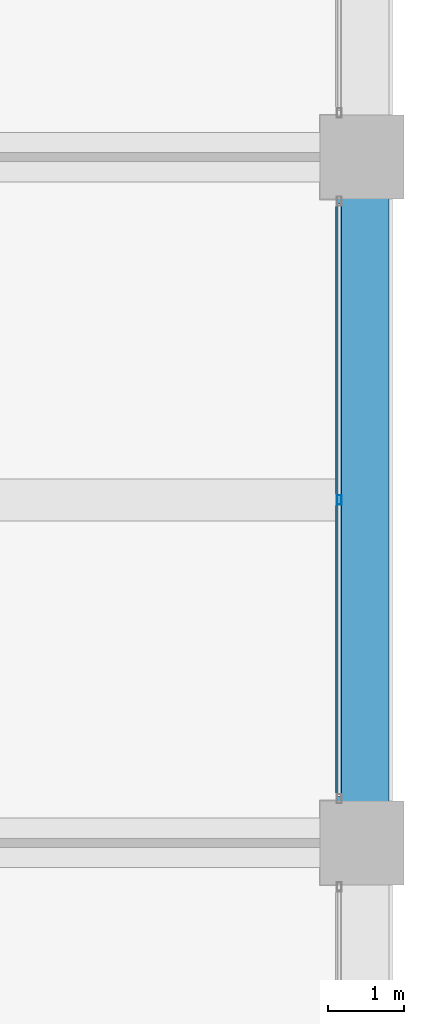
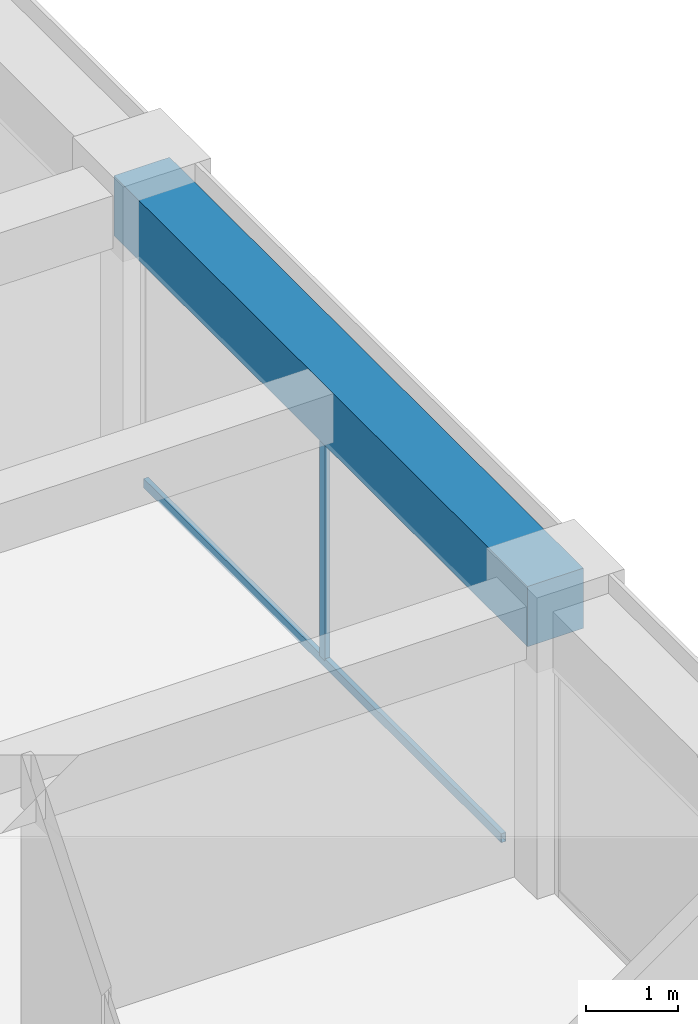
# One storey, part 25 of 44: 2 members, 1 beam, 1 element without a shape of its own.
"""IFC4 building model written with IfcOpenShell, lengths in metres."""

import ifcopenshell
import ifcopenshell.guid

model = None  # the IFC model being written
_history = None  # IfcOwnerHistory: only IFC2X3 demands one
_inside = {}  # id of a spatial element -> (the spatial element, [elements in it])
_under = {}  # id of a project, library or spatial element -> (it, [spatial elements below it])
_declared = {}  # id of a project -> (the project, [libraries it declares])
_typed = {}  # id of a type object -> (the type object, [elements of that type])
_made_of = {}  # id of a material, layer set ... -> (it, [elements and type objects made of it])


def new_model(schema):
    """Start an empty IFC model of exactly this schema.

    Asked for "IFC4X3", IfcOpenShell would pick the latest addendum, in which some entities
    have other attributes; the version numbers below select the first issue.
    IFC2X3 requires an IfcOwnerHistory on every rooted entity: one is made here for all.
    """
    global model, _history
    if schema == "IFC4X3":
        model = ifcopenshell.file(schema_version=(4, 3, 0, 0))
    else:
        model = ifcopenshell.file(schema=schema)
    _inside.clear()
    _under.clear()
    _declared.clear()
    _typed.clear()
    _made_of.clear()
    _history = None
    if model.schema == "IFC2X3":
        org = make("IfcOrganization", Name="unknown")
        user = make(
            "IfcPersonAndOrganization",
            ThePerson=make("IfcPerson", FamilyName="unknown"),
            TheOrganization=org,
        )
        app = make(
            "IfcApplication",
            ApplicationDeveloper=org,
            Version="unknown",
            ApplicationFullName="unknown",
            ApplicationIdentifier="unknown",
        )
        _history = make(
            "IfcOwnerHistory",
            OwningUser=user,
            OwningApplication=app,
            ChangeAction="ADDED",
            CreationDate=0,
        )
    return model


def make(cls, **values):
    """One entity of the class cls with the attributes given. An attribute that is None is left unset."""
    return model.create_entity(
        cls, **{name: value for name, value in values.items() if value is not None}
    )


def rooted(cls, **values):
    """An entity with a GlobalId (a new one), such as an element, a storey or a relation."""
    return make(cls, GlobalId=ifcopenshell.guid.new(), OwnerHistory=_history, **values)


def si_unit(unit_type, name, prefix=None):
    """IfcSIUnit, for example si_unit("LENGTHUNIT", "METRE", prefix="MILLI")."""
    return make("IfcSIUnit", UnitType=unit_type, Prefix=prefix, Name=name)


def assignment(units):
    """IfcUnitAssignment: the units of a project."""
    return None if units is None else make("IfcUnitAssignment", Units=units)


def point(xyz):
    """IfcCartesianPoint."""
    return None if xyz is None else make("IfcCartesianPoint", Coordinates=xyz)


def direction(xyz):
    """IfcDirection."""
    return None if xyz is None else make("IfcDirection", DirectionRatios=xyz)


def frame(location, z_axis=None, x_axis=None):
    """IfcAxis2Placement3D, a coordinate frame: its origin and axes. An axis left out is left unset."""
    return make(
        "IfcAxis2Placement3D",
        Location=point(location),
        Axis=direction(z_axis),
        RefDirection=direction(x_axis),
    )


def frame_2d(location, x_axis=None):
    """IfcAxis2Placement2D, a coordinate frame in the plane: its origin and x axis."""
    return make(
        "IfcAxis2Placement2D", Location=point(location), RefDirection=direction(x_axis)
    )


def origin():
    """The frame at (0, 0, 0) with its axes left unset."""
    return frame((0.0, 0.0, 0.0))


def origin_2d():
    """The frame at (0, 0) in the plane with its x axis left unset."""
    return frame_2d((0.0, 0.0))


def place(relative_to, where):
    """IfcLocalPlacement: puts the frame where relative to a parent placement (None: the world)."""
    return make(
        "IfcLocalPlacement", PlacementRelTo=relative_to, RelativePlacement=where
    )


def context(
    kind, dimensions, precision=None, world=None, true_north=None, identifier=None
):
    """IfcGeometricRepresentationContext, for example the 3D "Model" context."""
    return make(
        "IfcGeometricRepresentationContext",
        ContextIdentifier=identifier,
        ContextType=kind,
        CoordinateSpaceDimension=dimensions,
        Precision=precision,
        WorldCoordinateSystem=world,
        TrueNorth=true_north,
    )


def subcontext(parent, identifier, kind, view, scale=None):
    """IfcGeometricRepresentationSubContext, for example "Body" below "Model"."""
    return make(
        "IfcGeometricRepresentationSubContext",
        ContextIdentifier=identifier,
        ContextType=kind,
        ParentContext=parent,
        TargetScale=scale,
        TargetView=view,
    )


def project(units=None, contexts=None):
    """IfcProject with its units and contexts."""
    return rooted(
        "IfcProject",
        Name="project",
        RepresentationContexts=contexts,
        UnitsInContext=assignment(units),
    )


def spatial(cls, under=None, at=None, **own):
    """A site, building, storey or space (cls), placed at a placement, below another one or the project."""
    s = rooted(cls, ObjectPlacement=at, **own)
    if under is not None:
        _under.setdefault(under.id(), (under, []))[1].append(s)
    return s


def profile(cls, at=None, kind="AREA", **sizes):
    """A parametric profile (cls). Its sizes go by their IFC names, for example OverallWidth=200.0."""
    return make(cls, ProfileType=kind, Position=at, **sizes)


def rectangle(**sizes):
    """IfcRectangleProfileDef."""
    return profile("IfcRectangleProfileDef", **sizes)


def hollow_rectangle(**sizes):
    """IfcRectangleHollowProfileDef."""
    return profile("IfcRectangleHollowProfileDef", **sizes)


def extrude(swept, where, along, depth):
    """IfcExtrudedAreaSolid: the profile swept, set in the frame where, extruded along a direction by depth."""
    return make(
        "IfcExtrudedAreaSolid",
        SweptArea=swept,
        Position=where,
        ExtrudedDirection=direction(along),
        Depth=depth,
    )


def shape(context_of_items, identifier, shape_type, items):
    """IfcShapeRepresentation: the items that make up one representation, for example the "Body"."""
    return make(
        "IfcShapeRepresentation",
        ContextOfItems=context_of_items,
        RepresentationIdentifier=identifier,
        RepresentationType=shape_type,
        Items=items,
    )


def material(Name=None, Category=None):
    """IfcMaterial."""
    return make("IfcMaterial", Name=Name, Category=Category)


def material_profile(
    of_material, cross_section, Name=None, Category=None, Priority=None
):
    """IfcMaterialProfile: a cross section and its material."""
    return make(
        "IfcMaterialProfile",
        Name=Name,
        Material=of_material,
        Profile=cross_section,
        Priority=Priority,
        Category=Category,
    )


def profile_set(profiles, Name=None, composite=None):
    """IfcMaterialProfileSet."""
    return make(
        "IfcMaterialProfileSet",
        Name=Name,
        MaterialProfiles=profiles,
        CompositeProfile=composite,
    )


def made_of(thing, what):
    """Note that an element or type object is made of a material, layer set ...; save() writes the relation."""
    if what is not None:
        _made_of.setdefault(what.id(), (what, []))[1].append(thing)
    return thing


def type_object(cls, material=None, **own):
    """A type object (cls), such as IfcWallType, which elements share."""
    return made_of(rooted(cls, **own), material)


def element(
    cls,
    number,
    at=None,
    inside=None,
    cuts=None,
    type_object=None,
    material=None,
    context=None,
    identifier="Body",
    shape_type=None,
    held_by="IfcProductDefinitionShape",
    body=None,
    shapes=None,
    **own,
):
    """One element of the class cls, such as IfcWall. Its Tag is "e" and its number.

    at: its placement. inside: the storey or other place that contains it. cuts: it is an
    opening in that element (IfcRelVoidsElement). A single representation is given by context,
    identifier, shape_type and body (its items); several are given by shapes. held_by: the class
    of the entity that holds the representations. save() writes the other relations.
    """
    e = rooted(cls, Tag="e%d" % number, ObjectPlacement=at, **own)
    if body is not None:
        shapes = [shape(context, identifier, shape_type, body)]
    if shapes is not None:
        e.Representation = make(held_by, Representations=shapes)
    if inside is not None:
        _inside.setdefault(inside.id(), (inside, []))[1].append(e)
    if cuts is not None:
        rooted(
            "IfcRelVoidsElement", RelatingBuildingElement=cuts, RelatedOpeningElement=e
        )
    if type_object is not None:
        _typed.setdefault(type_object.id(), (type_object, []))[1].append(e)
    return made_of(e, material)


def aggregate(whole, parts):
    """IfcRelAggregates: a whole, such as a stair, and the parts it consists of."""
    return rooted("IfcRelAggregates", RelatingObject=whole, RelatedObjects=parts)


def save(model, path):
    """Write the relations noted so far, then the file.

    IfcRelAggregates (storeys below a building ...), IfcRelContainedInSpatialStructure (elements
    in a storey), IfcRelDefinesByType, IfcRelAssociatesMaterial and IfcRelDeclares: one each for
    every whole, place, type object, material and project.
    """
    for whole, parts in _under.values():
        aggregate(whole, parts)
    for where, things in _inside.values():
        rooted(
            "IfcRelContainedInSpatialStructure",
            RelatedElements=things,
            RelatingStructure=where,
        )
    for kind, things in _typed.values():
        rooted("IfcRelDefinesByType", RelatedObjects=things, RelatingType=kind)
    for what, things in _made_of.values():
        rooted("IfcRelAssociatesMaterial", RelatedObjects=things, RelatingMaterial=what)
    for by, libraries in _declared.values():
        rooted("IfcRelDeclares", RelatingContext=by, RelatedDefinitions=libraries)
    model.write(path)


model = new_model("IFC4")

# Units and contexts
model_context = context("Model", 3, precision=1e-05, world=origin(), true_north=direction((0.0, 1.0)))
body_context = subcontext(model_context, "Body", "Model", "MODEL_VIEW")
ifc_project = project(units=[si_unit("LENGTHUNIT", "METRE"), si_unit("AREAUNIT", "SQUARE_METRE"), si_unit("VOLUMEUNIT", "CUBIC_METRE"), si_unit("PLANEANGLEUNIT", "RADIAN"), si_unit("MASSUNIT", "GRAM", prefix="KILO")], contexts=[model_context])

# Site, building, storey
site_placement = place(None, origin())
site = spatial("IfcSite", under=ifc_project, at=site_placement, CompositionType="ELEMENT")
building_placement = place(site_placement, origin())
building = spatial("IfcBuilding", under=site, at=building_placement, Name="Zorevar Civic Tower", CompositionType="ELEMENT")
storey_placement = place(building_placement, frame((0.0, 0.0, 295.39990234375)))
storey = spatial("IfcBuildingStorey", under=building, at=storey_placement, Name="L72", CompositionType="ELEMENT", Elevation=295.39990234375)

# Curtain wall, members
ifc_material_1 = material(Name="Dark grey solar-control glass in black aluminium frame", Category="aluminium")
curtain_wall_type = type_object("IfcCurtainWallType", Name="Curtain wall CW5 top zone", PredefinedType="NOTDEFINED", material=ifc_material_1)
curtain_wall_placement = place(storey_placement, origin())
curtain_wall = element("IfcCurtainWall", 1, at=curtain_wall_placement, inside=storey, type_object=curtain_wall_type, Name="CW5 L72", PredefinedType="NOTDEFINED")
ifc_material_2 = material(Name="Aluminium, black anodised", Category="aluminium")
ifc_material_profile_1 = material_profile(ifc_material_2, hollow_rectangle(XDim=0.06005859375, YDim=0.1201171875, WallThickness=0.0029296875, at=origin_2d()), Name="AL 120x60x3")
ifc_profile_set_1 = profile_set([ifc_material_profile_1], Name="Aluminium, black anodised")
member_type_1 = type_object("IfcMemberType", Name="CW5 mullion AL 120x60x3", PredefinedType="MULLION", material=ifc_profile_set_1)
member_1_placement = place(storey_placement, frame((53.699951171875, 22.5, 0.06005859375), z_axis=(0.0, 0.0, 1.0), x_axis=(-1.0, 0.0, 0.0)))
member_1 = element("IfcMember", 2, at=member_1_placement, type_object=member_type_1, Name="CW5 mullion 2", PredefinedType="MULLION", context=body_context, shape_type="SweptSolid", body=[
    extrude(hollow_rectangle(XDim=0.06005859375, YDim=0.1201171875, WallThickness=0.0029296875, at=origin_2d()), origin(), (0.0, 0.0, 1.0), 2.89013671875),
])
ifc_material_3 = material(Name="Aluminium, black anodised", Category="aluminium")
ifc_material_profile_2 = material_profile(ifc_material_3, hollow_rectangle(XDim=0.06005859375, YDim=0.1201171875, WallThickness=0.0029296875, at=origin_2d()), Name="AL 120x60x3")
ifc_profile_set_2 = profile_set([ifc_material_profile_2], Name="Aluminium, black anodised")
member_type_2 = type_object("IfcMemberType", Name="CW5 transom AL 120x60x3", PredefinedType="USERDEFINED", material=ifc_profile_set_2)
member_2_placement = place(storey_placement, frame((53.699951171875, 18.610107421875, 0.030029296875), z_axis=(0.0, 1.0, 0.0), x_axis=(-1.0, 0.0, 0.0)))
member_2 = element("IfcMember", 3, at=member_2_placement, type_object=member_type_2, Name="CW5 sill transom", ObjectType="TRANSOM", PredefinedType="USERDEFINED", context=body_context, shape_type="SweptSolid", body=[
    extrude(hollow_rectangle(XDim=0.06005859375, YDim=0.1201171875, WallThickness=0.0029296875, at=origin_2d()), origin(), (0.0, 0.0, 1.0), 7.77978515625),
])
aggregate(curtain_wall, [member_1, member_2])

# Beam
ifc_material_4 = material(Name="Concrete C50/60", Category="concrete")
ifc_material_profile_3 = material_profile(ifc_material_4, rectangle(XDim=0.699951171875, YDim=0.800048828125, at=origin_2d()), Name="RC 700x800")
ifc_profile_set_3 = profile_set([ifc_material_profile_3], Name="Concrete C50/60")
beam_type = type_object("IfcBeamType", Name="Edge beam RC 700x800", PredefinedType="SPANDREL", material=ifc_profile_set_3)
beam_placement = place(storey_placement, frame((54.0, 18.0, 3.35009765625), z_axis=(0.0, 1.0, 0.0), x_axis=(-1.0, 0.0, 0.0)))
element("IfcBeam", 4, at=beam_placement, inside=storey, type_object=beam_type, Name="Edge beam L73", PredefinedType="SPANDREL", context=body_context, shape_type="SweptSolid", body=[
    extrude(rectangle(XDim=0.699951171875, YDim=0.800048828125, at=origin_2d()), origin(), (0.0, 0.0, 1.0), 9.0),
])

save(model, "model.ifc")
